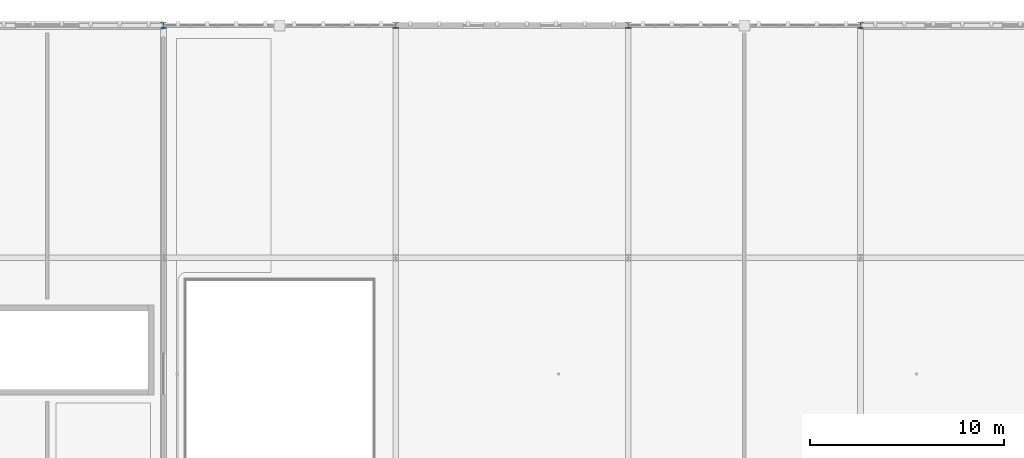
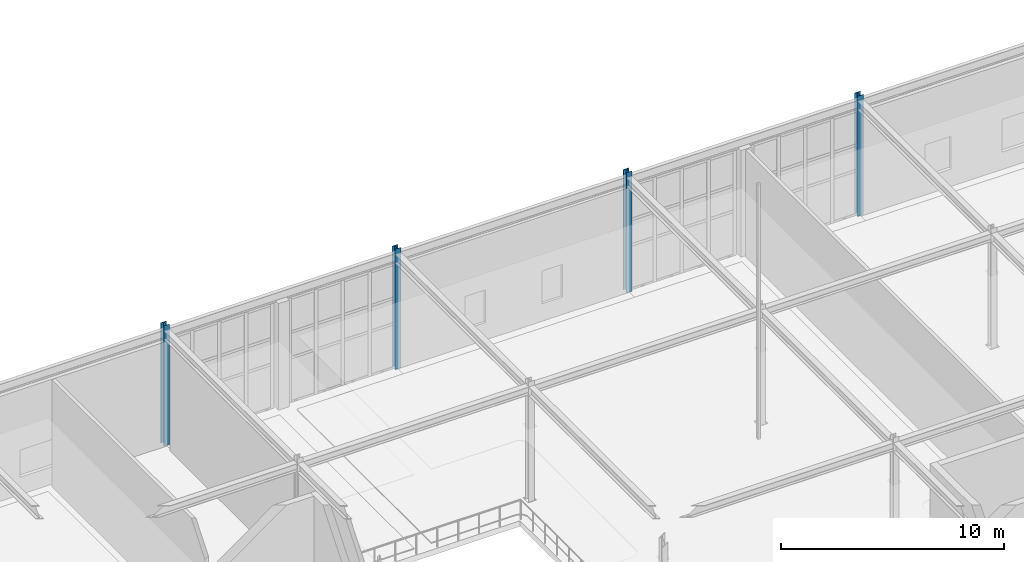
# One storey, part 6 of 62: 4 columns.
"""IFC4 building model written with IfcOpenShell, lengths in metres."""

from ifc_helpers import new_model, si_unit, direction, frame, origin, origin_2d, place, context, subcontext, project, spatial, i_section, extrude, material, material_profile, profile_set, type_object, element, save


model = new_model("IFC4")

# Units and contexts
model_context = context("Model", 3, precision=1e-05, world=origin(), true_north=direction((0.0, 1.0)))
body_context = subcontext(model_context, "Body", "Model", "MODEL_VIEW")
ifc_project = project(units=[si_unit("LENGTHUNIT", "METRE"), si_unit("AREAUNIT", "SQUARE_METRE"), si_unit("VOLUMEUNIT", "CUBIC_METRE"), si_unit("PLANEANGLEUNIT", "RADIAN"), si_unit("MASSUNIT", "GRAM", prefix="KILO")], contexts=[model_context])

# Site, building, storey
site_placement = place(None, origin())
site = spatial("IfcSite", under=ifc_project, at=site_placement, CompositionType="ELEMENT")
building_placement = place(site_placement, origin())
building = spatial("IfcBuilding", under=site, at=building_placement, Name="Zlatogorsky Bluff Art Gallery", CompositionType="ELEMENT")
storey_placement = place(building_placement, frame((0.0, 0.0, 16.800048828125)))
storey = spatial("IfcBuildingStorey", under=building, at=storey_placement, Name="L03", CompositionType="ELEMENT", Elevation=16.800048828125)

# Columns
ifc_material = material(Name="Steel S355", Category="steel")
ifc_material_profile = material_profile(ifc_material, i_section(OverallWidth=0.300048828125, OverallDepth=0.300048828125, WebThickness=0.010986328125, FlangeThickness=0.01904296875, FilletRadius=0.027099609375, at=origin_2d()), Name="HEB 300")
ifc_profile_set = profile_set([ifc_material_profile], Name="Steel S355")
column_type = type_object("IfcColumnType", Name="Column CL-06 HEB 300", PredefinedType="COLUMN", material=ifc_profile_set)
for number, where, z_axis, x_axis, name in (
    (1, (48.0, 120.0, 0.0), (0.0, 0.0, 1.0), (1.0, 0.0, 0.0), "Column CL-06 L03 E12"),
    (2, (60.0, 120.0, 0.0), (0.0, 0.0, 1.0), (1.0, 0.0, 0.0), "Column CL-06 L03 F12"),
    (3, (72.0, 120.0, 0.0), (0.0, 0.0, 1.0), (1.0, 0.0, 0.0), "Column CL-06 L03 G12"),
    (4, (84.0, 120.0, 0.0), (0.0, 0.0, 1.0), (1.0, 0.0, 0.0), "Column CL-06 L03 H12"),
):
    element("IfcColumn", number, at=place(storey_placement, frame(where, z_axis=z_axis, x_axis=x_axis)), inside=storey, type_object=column_type, Name=name, PredefinedType="COLUMN", context=body_context, shape_type="SweptSolid", body=[
        extrude(i_section(OverallWidth=0.300048828125, OverallDepth=0.300048828125, WebThickness=0.010986328125, FlangeThickness=0.01904296875, FilletRadius=0.027099609375, at=origin_2d()), origin(), (0.0, 0.0, 1.0), 6.599853515625),
    ])

save(model, "model.ifc")
